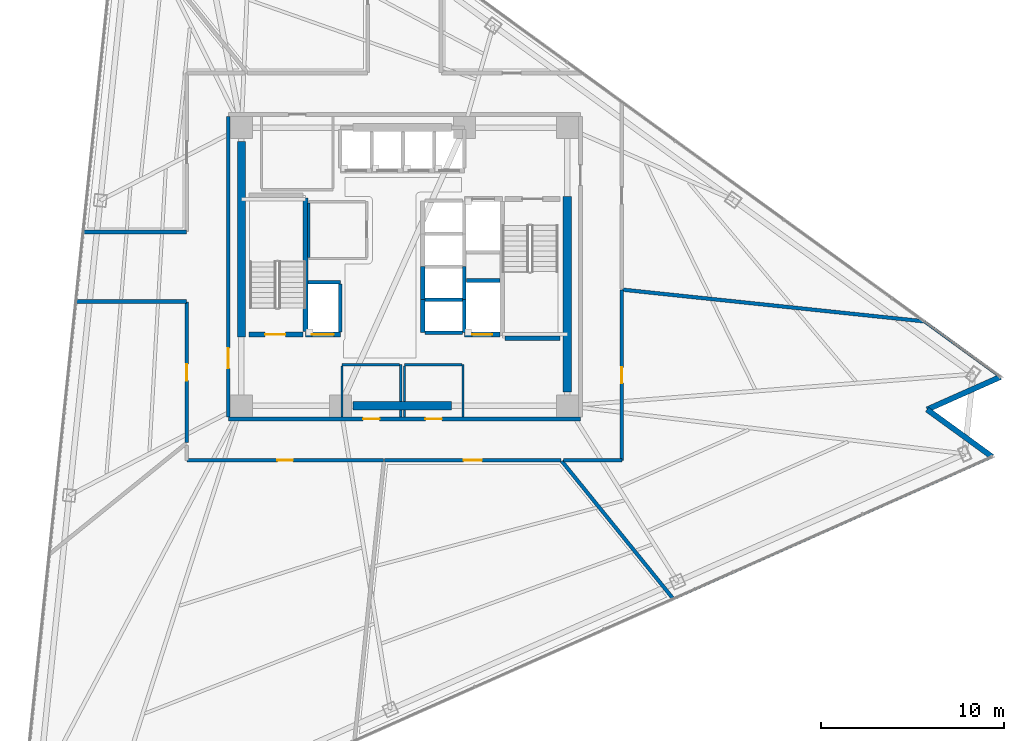
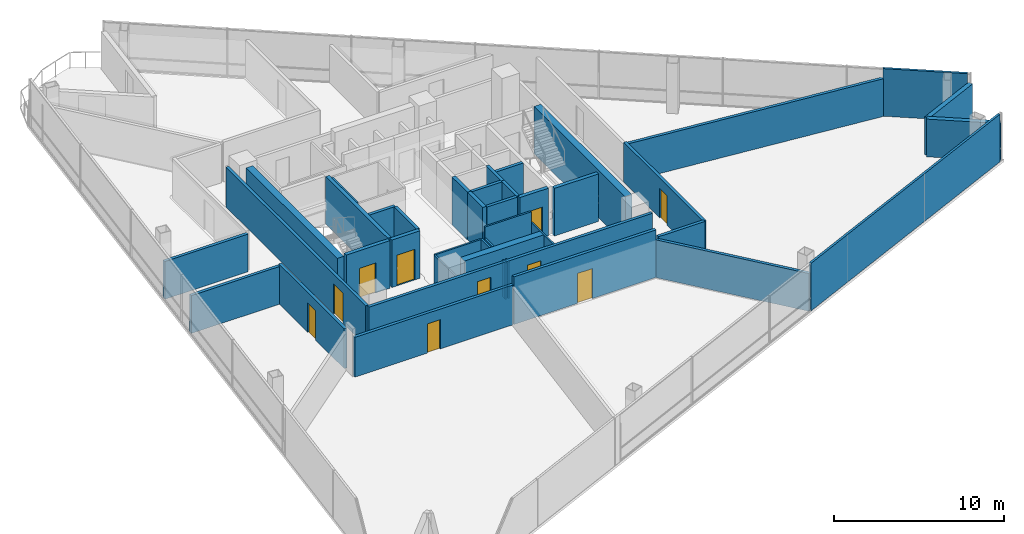
# One storey, part 11 of 17: 41 walls, 10 doors, 10 openings.
"""IFC4 building model written with IfcOpenShell, lengths in metres."""

import ifcopenshell
import ifcopenshell.guid

model = None  # the IFC model being written
_history = None  # IfcOwnerHistory: only IFC2X3 demands one
_inside = {}  # id of a spatial element -> (the spatial element, [elements in it])
_under = {}  # id of a project, library or spatial element -> (it, [spatial elements below it])
_declared = {}  # id of a project -> (the project, [libraries it declares])
_typed = {}  # id of a type object -> (the type object, [elements of that type])
_made_of = {}  # id of a material, layer set ... -> (it, [elements and type objects made of it])


def new_model(schema):
    """Start an empty IFC model of exactly this schema.

    Asked for "IFC4X3", IfcOpenShell would pick the latest addendum, in which some entities
    have other attributes; the version numbers below select the first issue.
    IFC2X3 requires an IfcOwnerHistory on every rooted entity: one is made here for all.
    """
    global model, _history
    if schema == "IFC4X3":
        model = ifcopenshell.file(schema_version=(4, 3, 0, 0))
    else:
        model = ifcopenshell.file(schema=schema)
    _inside.clear()
    _under.clear()
    _declared.clear()
    _typed.clear()
    _made_of.clear()
    _history = None
    if model.schema == "IFC2X3":
        org = make("IfcOrganization", Name="unknown")
        user = make(
            "IfcPersonAndOrganization",
            ThePerson=make("IfcPerson", FamilyName="unknown"),
            TheOrganization=org,
        )
        app = make(
            "IfcApplication",
            ApplicationDeveloper=org,
            Version="unknown",
            ApplicationFullName="unknown",
            ApplicationIdentifier="unknown",
        )
        _history = make(
            "IfcOwnerHistory",
            OwningUser=user,
            OwningApplication=app,
            ChangeAction="ADDED",
            CreationDate=0,
        )
    return model


def make(cls, **values):
    """One entity of the class cls with the attributes given. An attribute that is None is left unset."""
    return model.create_entity(
        cls, **{name: value for name, value in values.items() if value is not None}
    )


def rooted(cls, **values):
    """An entity with a GlobalId (a new one), such as an element, a storey or a relation."""
    return make(cls, GlobalId=ifcopenshell.guid.new(), OwnerHistory=_history, **values)


def si_unit(unit_type, name, prefix=None):
    """IfcSIUnit, for example si_unit("LENGTHUNIT", "METRE", prefix="MILLI")."""
    return make("IfcSIUnit", UnitType=unit_type, Prefix=prefix, Name=name)


def assignment(units):
    """IfcUnitAssignment: the units of a project."""
    return None if units is None else make("IfcUnitAssignment", Units=units)


def point(xyz):
    """IfcCartesianPoint."""
    return None if xyz is None else make("IfcCartesianPoint", Coordinates=xyz)


def direction(xyz):
    """IfcDirection."""
    return None if xyz is None else make("IfcDirection", DirectionRatios=xyz)


def frame(location, z_axis=None, x_axis=None):
    """IfcAxis2Placement3D, a coordinate frame: its origin and axes. An axis left out is left unset."""
    return make(
        "IfcAxis2Placement3D",
        Location=point(location),
        Axis=direction(z_axis),
        RefDirection=direction(x_axis),
    )


def frame_2d(location, x_axis=None):
    """IfcAxis2Placement2D, a coordinate frame in the plane: its origin and x axis."""
    return make(
        "IfcAxis2Placement2D", Location=point(location), RefDirection=direction(x_axis)
    )


def origin():
    """The frame at (0, 0, 0) with its axes left unset."""
    return frame((0.0, 0.0, 0.0))


def place(relative_to, where):
    """IfcLocalPlacement: puts the frame where relative to a parent placement (None: the world)."""
    return make(
        "IfcLocalPlacement", PlacementRelTo=relative_to, RelativePlacement=where
    )


def context(
    kind, dimensions, precision=None, world=None, true_north=None, identifier=None
):
    """IfcGeometricRepresentationContext, for example the 3D "Model" context."""
    return make(
        "IfcGeometricRepresentationContext",
        ContextIdentifier=identifier,
        ContextType=kind,
        CoordinateSpaceDimension=dimensions,
        Precision=precision,
        WorldCoordinateSystem=world,
        TrueNorth=true_north,
    )


def subcontext(parent, identifier, kind, view, scale=None):
    """IfcGeometricRepresentationSubContext, for example "Body" below "Model"."""
    return make(
        "IfcGeometricRepresentationSubContext",
        ContextIdentifier=identifier,
        ContextType=kind,
        ParentContext=parent,
        TargetScale=scale,
        TargetView=view,
    )


def project(units=None, contexts=None):
    """IfcProject with its units and contexts."""
    return rooted(
        "IfcProject",
        Name="project",
        RepresentationContexts=contexts,
        UnitsInContext=assignment(units),
    )


def spatial(cls, under=None, at=None, **own):
    """A site, building, storey or space (cls), placed at a placement, below another one or the project."""
    s = rooted(cls, ObjectPlacement=at, **own)
    if under is not None:
        _under.setdefault(under.id(), (under, []))[1].append(s)
    return s


def profile(cls, at=None, kind="AREA", **sizes):
    """A parametric profile (cls). Its sizes go by their IFC names, for example OverallWidth=200.0."""
    return make(cls, ProfileType=kind, Position=at, **sizes)


def rectangle(**sizes):
    """IfcRectangleProfileDef."""
    return profile("IfcRectangleProfileDef", **sizes)


def extrude(swept, where, along, depth):
    """IfcExtrudedAreaSolid: the profile swept, set in the frame where, extruded along a direction by depth."""
    return make(
        "IfcExtrudedAreaSolid",
        SweptArea=swept,
        Position=where,
        ExtrudedDirection=direction(along),
        Depth=depth,
    )


def shape(context_of_items, identifier, shape_type, items):
    """IfcShapeRepresentation: the items that make up one representation, for example the "Body"."""
    return make(
        "IfcShapeRepresentation",
        ContextOfItems=context_of_items,
        RepresentationIdentifier=identifier,
        RepresentationType=shape_type,
        Items=items,
    )


def material(Name=None, Category=None):
    """IfcMaterial."""
    return make("IfcMaterial", Name=Name, Category=Category)


def layer(
    of_material, thickness, ventilated=None, Name=None, Category=None, Priority=None
):
    """IfcMaterialLayer: one layer of a wall or slab, of a material (None: an air gap)."""
    return make(
        "IfcMaterialLayer",
        Material=of_material,
        LayerThickness=thickness,
        IsVentilated=ventilated,
        Name=Name,
        Category=Category,
        Priority=Priority,
    )


def layer_set(layers, Name=None):
    """IfcMaterialLayerSet."""
    return make("IfcMaterialLayerSet", MaterialLayers=layers, LayerSetName=Name)


def made_of(thing, what):
    """Note that an element or type object is made of a material, layer set ...; save() writes the relation."""
    if what is not None:
        _made_of.setdefault(what.id(), (what, []))[1].append(thing)
    return thing


def type_object(cls, material=None, **own):
    """A type object (cls), such as IfcWallType, which elements share."""
    return made_of(rooted(cls, **own), material)


def element(
    cls,
    number,
    at=None,
    inside=None,
    cuts=None,
    type_object=None,
    material=None,
    context=None,
    identifier="Body",
    shape_type=None,
    held_by="IfcProductDefinitionShape",
    body=None,
    shapes=None,
    **own,
):
    """One element of the class cls, such as IfcWall. Its Tag is "e" and its number.

    at: its placement. inside: the storey or other place that contains it. cuts: it is an
    opening in that element (IfcRelVoidsElement). A single representation is given by context,
    identifier, shape_type and body (its items); several are given by shapes. held_by: the class
    of the entity that holds the representations. save() writes the other relations.
    """
    e = rooted(cls, Tag="e%d" % number, ObjectPlacement=at, **own)
    if body is not None:
        shapes = [shape(context, identifier, shape_type, body)]
    if shapes is not None:
        e.Representation = make(held_by, Representations=shapes)
    if inside is not None:
        _inside.setdefault(inside.id(), (inside, []))[1].append(e)
    if cuts is not None:
        rooted(
            "IfcRelVoidsElement", RelatingBuildingElement=cuts, RelatedOpeningElement=e
        )
    if type_object is not None:
        _typed.setdefault(type_object.id(), (type_object, []))[1].append(e)
    return made_of(e, material)


def fill(opening, filler):
    """IfcRelFillsElement: the door or window that sits in an opening."""
    return rooted(
        "IfcRelFillsElement",
        RelatingOpeningElement=opening,
        RelatedBuildingElement=filler,
    )


def aggregate(whole, parts):
    """IfcRelAggregates: a whole, such as a stair, and the parts it consists of."""
    return rooted("IfcRelAggregates", RelatingObject=whole, RelatedObjects=parts)


def save(model, path):
    """Write the relations noted so far, then the file.

    IfcRelAggregates (storeys below a building ...), IfcRelContainedInSpatialStructure (elements
    in a storey), IfcRelDefinesByType, IfcRelAssociatesMaterial and IfcRelDeclares: one each for
    every whole, place, type object, material and project.
    """
    for whole, parts in _under.values():
        aggregate(whole, parts)
    for where, things in _inside.values():
        rooted(
            "IfcRelContainedInSpatialStructure",
            RelatedElements=things,
            RelatingStructure=where,
        )
    for kind, things in _typed.values():
        rooted("IfcRelDefinesByType", RelatedObjects=things, RelatingType=kind)
    for what, things in _made_of.values():
        rooted("IfcRelAssociatesMaterial", RelatedObjects=things, RelatingMaterial=what)
    for by, libraries in _declared.values():
        rooted("IfcRelDeclares", RelatingContext=by, RelatedDefinitions=libraries)
    model.write(path)


model = new_model("IFC4")

# Units and contexts
model_context = context("Model", 3, precision=1e-05, world=origin(), true_north=direction((0.0, 1.0)))
body_context = subcontext(model_context, "Body", "Model", "MODEL_VIEW")
ifc_project = project(units=[si_unit("LENGTHUNIT", "METRE"), si_unit("AREAUNIT", "SQUARE_METRE"), si_unit("VOLUMEUNIT", "CUBIC_METRE"), si_unit("PLANEANGLEUNIT", "RADIAN"), si_unit("MASSUNIT", "GRAM", prefix="KILO")], contexts=[model_context])

# Site, building, storey
site_placement = place(None, origin())
site = spatial("IfcSite", under=ifc_project, at=site_placement, CompositionType="ELEMENT")
building_placement = place(site_placement, origin())
building = spatial("IfcBuilding", under=site, at=building_placement, Name="Tharavind Bronze Gate", CompositionType="ELEMENT")
storey_placement = place(building_placement, frame((0.0, 0.0, 119.64990234375)))
storey = spatial("IfcBuildingStorey", under=building, at=storey_placement, Name="L30", CompositionType="ELEMENT", Elevation=119.64990234375)

# Walls
ifc_material_1 = material(Name="Concrete C40/50", Category="concrete")
ifc_layer_1 = layer(ifc_material_1, 0.300048828125)
ifc_layer_set_1 = layer_set([ifc_layer_1], Name="Concrete C40/50")
wall_type_1 = type_object("IfcWallType", Name="EXTERIOR SPANDREL WALL 300", PredefinedType="STANDARD", material=ifc_layer_set_1)
for number, where, z_axis, x_axis, name in (
    (1, (32.099853515625, -10.3759765625, 0.0), (0.0, 0.0, 1.0), (-0.809018008275, 0.587783856777, 0.0), "L30 notch cheek wall 3A"),
    (2, (28.556396484375, -7.801513671875, 0.0), (0.0, 0.0, 1.0), (0.913542411385, 0.406743485013, 0.0), "L30 notch cheek wall 3B"),
):
    element("IfcWall", number, at=place(storey_placement, frame(where, z_axis=z_axis, x_axis=x_axis)), inside=storey, type_object=wall_type_1, Name=name, PredefinedType="STANDARD", context=body_context, shape_type="SweptSolid", body=[
        extrude(rectangle(XDim=4.3798828125, YDim=0.300048828125, at=frame_2d((2.18994140625, 0.0))), origin(), (0.0, 0.0, 1.0), 2.705078125),
    ])

# Wall, openings, doors
ifc_material_2 = material(Name="Aerated Concrete Block", Category="concrete")
ifc_layer_2 = layer(ifc_material_2, 0.199951171875)
ifc_layer_set_2 = layer_set([ifc_layer_2], Name="Aerated Concrete Block")
wall_type_2 = type_object("IfcWallType", Name="FIRE RATED PARTITION 200", PredefinedType="PARTITIONING", material=ifc_layer_set_2)
wall_1_placement = place(storey_placement, frame((-9.6201171875, -8.320068359375, 0.0), z_axis=(0.0, 0.0, 1.0), x_axis=(1.0, 0.0, 0.0)))
wall_1 = element("IfcWall", 3, at=wall_1_placement, inside=storey, type_object=wall_type_2, Name="L30 south core corridor wall", PredefinedType="PARTITIONING", context=body_context, shape_type="SweptSolid", body=[
    extrude(rectangle(XDim=19.240234375, YDim=0.199951171875, at=frame_2d((9.6201171875, 0.0))), origin(), (0.0, 0.0, 1.0), 2.85498046875),
])
opening_1_placement = place(wall_1_placement, frame((7.3701171875, 0.0, 0.0)))
opening_1 = element("IfcOpeningElement", 4, at=opening_1_placement, cuts=wall_1, Name="Opening ID07", PredefinedType="OPENING", context=body_context, shape_type="SweptSolid", body=[
    extrude(rectangle(XDim=0.89990234375, YDim=2.10009765625, at=frame_2d((0.449951171875, 1.050048828125))), frame((0.0, 0.11009765625, 0.0), z_axis=(0.0, -1.0, 0.0), x_axis=(1.0, 0.0, 0.0)), (0.0, 0.0, 1.0), 0.219951171875),
])
opening_2_placement = place(wall_1_placement, frame((10.77001953125, 0.0, 0.0)))
opening_2 = element("IfcOpeningElement", 5, at=opening_2_placement, cuts=wall_1, Name="Opening ID07", PredefinedType="OPENING", context=body_context, shape_type="SweptSolid", body=[
    extrude(rectangle(XDim=0.89990234375, YDim=2.10009765625, at=frame_2d((0.449951171875, 1.050048828125))), frame((0.0, 0.11009765625, 0.0), z_axis=(0.0, -1.0, 0.0), x_axis=(1.0, 0.0, 0.0)), (0.0, 0.0, 1.0), 0.219951171875),
])
ifc_material_3 = material(Name="Galvanised Fire Steel", Category="steel")
door_type_1 = type_object("IfcDoorType", Name="PLANT AND RISER FIRE DOOR 900X2100", OperationType="SINGLE_SWING_LEFT", PredefinedType="DOOR", material=ifc_material_3)
door_1_placement = place(opening_1_placement, frame((0.89990234375, 0.0, 0.0), z_axis=(0.0, 0.0, 1.0), x_axis=(-1.0, 0.0, 0.0)))
door_1 = element("IfcDoor", 6, at=door_1_placement, inside=storey, type_object=door_type_1, Name="L30 Core Archive Store fire door", OperationType="SINGLE_SWING_LEFT", OverallHeight=2.10009765625, OverallWidth=0.89990234375, PredefinedType="DOOR", context=body_context, shape_type="SweptSolid", body=[
    extrude(rectangle(XDim=0.89990234375, YDim=2.10009765625, at=frame_2d((0.449951171875, 1.050048828125))), frame((0.0, 0.02490234375, 0.0), z_axis=(0.0, -1.0, 0.0), x_axis=(1.0, 0.0, 0.0)), (0.0, 0.0, 1.0), 0.050048828125),
])
fill(opening_1, door_1)
door_2_placement = place(opening_2_placement, frame((0.89990234375, 0.0, 0.0), z_axis=(0.0, 0.0, 1.0), x_axis=(-1.0, 0.0, 0.0)))
door_2 = element("IfcDoor", 7, at=door_2_placement, inside=storey, type_object=door_type_1, Name="L30 Core Server Room fire door", OperationType="SINGLE_SWING_LEFT", OverallHeight=2.10009765625, OverallWidth=0.89990234375, PredefinedType="DOOR", context=body_context, shape_type="SweptSolid", body=[
    extrude(rectangle(XDim=0.89990234375, YDim=2.10009765625, at=frame_2d((0.449951171875, 1.050048828125))), frame((0.0, 0.02490234375, 0.0), z_axis=(0.0, -1.0, 0.0), x_axis=(1.0, 0.0, 0.0)), (0.0, 0.0, 1.0), 0.050048828125),
])
fill(opening_2, door_2)

# Wall, opening, door
wall_2_placement = place(storey_placement, frame((-9.6201171875, 8.199951171875, 0.0), z_axis=(0.0, 0.0, 1.0), x_axis=(0.0, -1.0, 0.0)))
wall_2 = element("IfcWall", 8, at=wall_2_placement, inside=storey, type_object=wall_type_2, Name="L30 west core corridor wall", PredefinedType="PARTITIONING", context=body_context, shape_type="SweptSolid", body=[
    extrude(rectangle(XDim=16.39990234375, YDim=0.199951171875, at=frame_2d((8.199951171875, 0.0))), origin(), (0.0, 0.0, 1.0), 2.85498046875),
])
opening_3_placement = place(wall_2_placement, frame((12.64990234375, 0.0, 0.0)))
opening_3 = element("IfcOpeningElement", 9, at=opening_3_placement, cuts=wall_2, Name="Opening ID01", PredefinedType="OPENING", context=body_context, shape_type="SweptSolid", body=[
    extrude(rectangle(XDim=1.10009765625, YDim=2.14990234375, at=frame_2d((0.550048828125, 1.074951171875))), frame((0.0, 0.11009765625, 0.0), z_axis=(0.0, -1.0, 0.0), x_axis=(1.0, 0.0, 0.0)), (0.0, 0.0, 1.0), 0.219951171875),
])
ifc_material_4 = material(Name="Fire-Rated Steel", Category="steel")
door_type_2 = type_object("IfcDoorType", Name="STAIR CORE FIRE DOOR 1100X2150", OperationType="SINGLE_SWING_LEFT", PredefinedType="DOOR", material=ifc_material_4)
door_3_placement = place(opening_3_placement, frame((1.10009765625, 0.0, 0.0), z_axis=(0.0, 0.0, 1.0), x_axis=(-1.0, 0.0, 0.0)))
door_3 = element("IfcDoor", 10, at=door_3_placement, inside=storey, type_object=door_type_2, Name="L30 south west stair lobby fire door", OperationType="SINGLE_SWING_LEFT", OverallHeight=2.14990234375, OverallWidth=1.10009765625, PredefinedType="DOOR", context=body_context, shape_type="SweptSolid", body=[
    extrude(rectangle(XDim=1.10009765625, YDim=2.14990234375, at=frame_2d((0.550048828125, 1.074951171875))), frame((0.0, 0.02490234375, 0.0), z_axis=(0.0, -1.0, 0.0), x_axis=(1.0, 0.0, 0.0)), (0.0, 0.0, 1.0), 0.050048828125),
])
fill(opening_3, door_3)

wall_3_placement = place(storey_placement, frame((-11.87939453125, -10.580078125, 0.0), z_axis=(0.0, 0.0, 1.0), x_axis=(1.0, 0.0, 0.0)))
wall_3 = element("IfcWall", 11, at=wall_3_placement, inside=storey, type_object=wall_type_2, Name="L30 Public Restrooms Block partition", PredefinedType="PARTITIONING", context=body_context, shape_type="SweptSolid", body=[
    extrude(rectangle(XDim=10.739501953125, YDim=0.199951171875, at=frame_2d((5.36962890625, 0.0))), origin(), (0.0, 0.0, 1.0), 2.85498046875),
])
opening_4_placement = place(wall_3_placement, frame((4.945068359375, 0.0, 0.0)))
opening_4 = element("IfcOpeningElement", 12, at=opening_4_placement, cuts=wall_3, Name="Opening ID06", PredefinedType="OPENING", context=body_context, shape_type="SweptSolid", body=[
    extrude(rectangle(XDim=0.85009765625, YDim=2.10009765625, at=frame_2d((0.425048828125, 1.050048828125))), frame((0.0, 0.11009765625, 0.0), z_axis=(0.0, -1.0, 0.0), x_axis=(1.0, 0.0, 0.0)), (0.0, 0.0, 1.0), 0.219951171875),
])
ifc_material_5 = material(Name="Moisture-Resistant Timber", Category="wood")
door_type_3 = type_object("IfcDoorType", Name="BATHROOM PRIVACY DOOR 850X2100", OperationType="SINGLE_SWING_RIGHT", PredefinedType="DOOR", material=ifc_material_5)
door_4_placement = place(opening_4_placement, origin())
door_4 = element("IfcDoor", 13, at=door_4_placement, inside=storey, type_object=door_type_3, Name="L30 Public Restrooms Block door", OperationType="SINGLE_SWING_RIGHT", OverallHeight=2.10009765625, OverallWidth=0.85009765625, PredefinedType="DOOR", context=body_context, shape_type="SweptSolid", body=[
    extrude(rectangle(XDim=0.85009765625, YDim=2.10009765625, at=frame_2d((0.425048828125, 1.050048828125))), frame((0.0, 0.02490234375, 0.0), z_axis=(0.0, -1.0, 0.0), x_axis=(1.0, 0.0, 0.0)), (0.0, 0.0, 1.0), 0.050048828125),
])
fill(opening_4, door_4)

wall_4_placement = place(storey_placement, frame((11.8798828125, -10.579345703125, 0.0), z_axis=(0.0, 0.0, 1.0), x_axis=(0.0, 1.0, 0.0)))
wall_4 = element("IfcWall", 14, at=wall_4_placement, inside=storey, type_object=wall_type_2, Name="L30 Public Restrooms Block partition", PredefinedType="PARTITIONING", context=body_context, shape_type="SweptSolid", body=[
    extrude(rectangle(XDim=9.302978515625, YDim=0.199951171875, at=frame_2d((4.6513671875, 0.0))), origin(), (0.0, 0.0, 1.0), 2.85498046875),
])
opening_5_placement = place(wall_4_placement, frame((4.22607421875, 0.0, 0.0)))
opening_5 = element("IfcOpeningElement", 15, at=opening_5_placement, cuts=wall_4, Name="Opening ID06", PredefinedType="OPENING", context=body_context, shape_type="SweptSolid", body=[
    extrude(rectangle(XDim=0.85009765625, YDim=2.10009765625, at=frame_2d((0.425048828125, 1.050048828125))), frame((0.0, 0.11009765625, 0.0), z_axis=(0.0, -1.0, 0.0), x_axis=(1.0, 0.0, 0.0)), (0.0, 0.0, 1.0), 0.219951171875),
])
door_5_placement = place(opening_5_placement, origin())
door_5 = element("IfcDoor", 16, at=door_5_placement, inside=storey, type_object=door_type_3, Name="L30 Public Restrooms Block door", OperationType="SINGLE_SWING_RIGHT", OverallHeight=2.10009765625, OverallWidth=0.85009765625, PredefinedType="DOOR", context=body_context, shape_type="SweptSolid", body=[
    extrude(rectangle(XDim=0.85009765625, YDim=2.10009765625, at=frame_2d((0.425048828125, 1.050048828125))), frame((0.0, 0.02490234375, 0.0), z_axis=(0.0, -1.0, 0.0), x_axis=(1.0, 0.0, 0.0)), (0.0, 0.0, 1.0), 0.050048828125),
])
fill(opening_5, door_5)

# Walls
wall_5_placement = place(storey_placement, frame((11.90771484375, -1.25146484375, 0.0), z_axis=(0.0, 0.0, 1.0), x_axis=(0.994520958229, -0.104537379166, 0.0)))
element("IfcWall", 17, at=wall_5_placement, inside=storey, type_object=wall_type_2, Name="L30 Public Restrooms Block partition", PredefinedType="PARTITIONING", context=body_context, shape_type="SweptSolid", body=[
    extrude(rectangle(XDim=16.553466796875, YDim=0.199951171875, at=frame_2d((8.27685546875, 0.0))), origin(), (0.0, 0.0, 1.0), 2.705078125),
])
wall_6_placement = place(storey_placement, frame((14.669921875, -18.115966796875, 0.0), z_axis=(0.0, 0.0, 1.0), x_axis=(-0.629302356579, 0.777160565137, 0.0)))
element("IfcWall", 18, at=wall_6_placement, inside=storey, type_object=wall_type_2, Name="L30 Public Restrooms Block partition", PredefinedType="PARTITIONING", context=body_context, shape_type="SweptSolid", body=[
    extrude(rectangle(XDim=9.64453125, YDim=0.199951171875, at=frame_2d((4.822265625, 0.0))), origin(), (0.0, 0.0, 1.0), 2.705078125),
])
wall_7_placement = place(storey_placement, frame((8.70263671875, -10.580078125, 0.0), z_axis=(0.0, 0.0, 1.0), x_axis=(1.0, 0.0, 0.0)))
element("IfcWall", 19, at=wall_7_placement, inside=storey, type_object=wall_type_2, Name="L30 Public Restrooms Block partition", PredefinedType="PARTITIONING", context=body_context, shape_type="SweptSolid", body=[
    extrude(rectangle(XDim=3.1767578125, YDim=0.199951171875, at=frame_2d((1.58837890625, 0.0))), origin(), (0.0, 0.0, 1.0), 2.85498046875),
])
wall_8_placement = place(storey_placement, frame((-11.905029296875, 1.89990234375, 0.0), z_axis=(0.0, 0.0, 1.0), x_axis=(-1.0, 0.0, 0.0)))
element("IfcWall", 20, at=wall_8_placement, inside=storey, type_object=wall_type_2, Name="L30 Pin-Up Review Room partition", PredefinedType="PARTITIONING", context=body_context, shape_type="SweptSolid", body=[
    extrude(rectangle(XDim=5.640869140625, YDim=0.199951171875, at=frame_2d((2.8203125, 0.0))), origin(), (0.0, 0.0, 1.0), 2.705078125),
])
wall_9_placement = place(storey_placement, frame((-17.945068359375, -1.89990234375, 0.0), z_axis=(0.0, 0.0, 1.0), x_axis=(1.0, 0.0, 0.0)))
element("IfcWall", 21, at=wall_9_placement, inside=storey, type_object=wall_type_2, Name="L30 Material Archive Store partition", PredefinedType="PARTITIONING", context=body_context, shape_type="SweptSolid", body=[
    extrude(rectangle(XDim=6.0400390625, YDim=0.199951171875, at=frame_2d((3.02001953125, 0.0))), origin(), (0.0, 0.0, 1.0), 2.705078125),
])

# Wall, opening, door
wall_10_placement = place(storey_placement, frame((-11.8798828125, -1.925048828125, 0.0), z_axis=(0.0, 0.0, 1.0), x_axis=(0.0, -1.0, 0.0)))
wall_10 = element("IfcWall", 22, at=wall_10_placement, inside=storey, type_object=wall_type_2, Name="L30 Material Archive Store partition", PredefinedType="PARTITIONING", context=body_context, shape_type="SweptSolid", body=[
    extrude(rectangle(XDim=7.683349609375, YDim=0.199951171875, at=frame_2d((3.841796875, 0.0))), origin(), (0.0, 0.0, 1.0), 2.85498046875),
])
opening_6_placement = place(wall_10_placement, frame((3.39208984375, 0.0, 0.0)))
opening_6 = element("IfcOpeningElement", 23, at=opening_6_placement, cuts=wall_10, Name="Opening ID07", PredefinedType="OPENING", context=body_context, shape_type="SweptSolid", body=[
    extrude(rectangle(XDim=0.89990234375, YDim=2.10009765625, at=frame_2d((0.449951171875, 1.050048828125))), frame((0.0, 0.11009765625, 0.0), z_axis=(0.0, -1.0, 0.0), x_axis=(1.0, 0.0, 0.0)), (0.0, 0.0, 1.0), 0.219951171875),
])
door_6_placement = place(opening_6_placement, origin())
door_6 = element("IfcDoor", 24, at=door_6_placement, inside=storey, type_object=door_type_1, Name="L30 Material Archive Store door", OperationType="SINGLE_SWING_LEFT", OverallHeight=2.10009765625, OverallWidth=0.89990234375, PredefinedType="DOOR", context=body_context, shape_type="SweptSolid", body=[
    extrude(rectangle(XDim=0.89990234375, YDim=2.10009765625, at=frame_2d((0.449951171875, 1.050048828125))), frame((0.0, 0.02490234375, 0.0), z_axis=(0.0, -1.0, 0.0), x_axis=(1.0, 0.0, 0.0)), (0.0, 0.0, 1.0), 0.050048828125),
])
fill(opening_6, door_6)

wall_11_placement = place(storey_placement, frame((-1.089599609375, -10.580078125, 0.0), z_axis=(0.0, 0.0, 1.0), x_axis=(1.0, 0.0, 0.0)))
wall_11 = element("IfcWall", 25, at=wall_11_placement, inside=storey, type_object=wall_type_2, Name="L30 Urban Design Open Office partition", PredefinedType="PARTITIONING", context=body_context, shape_type="SweptSolid", body=[
    extrude(rectangle(XDim=9.645263671875, YDim=0.199951171875, at=frame_2d((4.82275390625, 0.0))), origin(), (0.0, 0.0, 1.0), 3.41015625),
])
opening_7_placement = place(wall_11_placement, frame((4.322998046875, 0.0, 0.0)))
opening_7 = element("IfcOpeningElement", 26, at=opening_7_placement, cuts=wall_11, Name="Opening ID04", PredefinedType="OPENING", context=body_context, shape_type="SweptSolid", body=[
    extrude(rectangle(XDim=1.0, YDim=2.14990234375, at=frame_2d((0.5, 1.074951171875))), frame((0.0, 0.11009765625, 0.0), z_axis=(0.0, -1.0, 0.0), x_axis=(1.0, 0.0, 0.0)), (0.0, 0.0, 1.0), 0.219951171875),
])
ifc_material_6 = material(Name="Bronze Framed Acoustic Timber", Category="wood")
door_type_4 = type_object("IfcDoorType", Name="OFFICE TENANCY DOOR 1000X2150", OperationType="SINGLE_SWING_RIGHT", PredefinedType="DOOR", material=ifc_material_6)
door_7_placement = place(opening_7_placement, origin())
door_7 = element("IfcDoor", 27, at=door_7_placement, inside=storey, type_object=door_type_4, Name="L30 Urban Design Open Office door", OperationType="SINGLE_SWING_RIGHT", OverallHeight=2.14990234375, OverallWidth=1.0, PredefinedType="DOOR", context=body_context, shape_type="SweptSolid", body=[
    extrude(rectangle(XDim=1.0, YDim=2.14990234375, at=frame_2d((0.5, 1.074951171875))), frame((0.0, 0.02490234375, 0.0), z_axis=(0.0, -1.0, 0.0), x_axis=(1.0, 0.0, 0.0)), (0.0, 0.0, 1.0), 0.050048828125),
])
fill(opening_7, door_7)

# Walls
ifc_material_7 = material(Name="Metal Stud Gypsum Partition", Category="gypsum")
ifc_layer_3 = layer(ifc_material_7, 0.1201171875)
ifc_layer_set_3 = layer_set([ifc_layer_3], Name="Metal Stud Gypsum Partition")
wall_type_3 = type_object("IfcWallType", Name="INTERIOR PARTITION WALL 120", PredefinedType="PARTITIONING", material=ifc_layer_set_3)
wall_12_placement = place(storey_placement, frame((-5.219970703125, 3.485107421875, 0.0), z_axis=(0.0, 0.0, 1.0), x_axis=(0.0, -1.0, 0.0)))
element("IfcWall", 28, at=wall_12_placement, inside=storey, type_object=wall_type_3, Name="L30 Electrical & Telecom Store partition 4", PredefinedType="PARTITIONING", context=body_context, shape_type="SweptSolid", body=[
    extrude(rectangle(XDim=2.97021484375, YDim=0.1201171875, at=frame_2d((1.485107421875, 0.0))), origin(), (0.0, 0.0, 1.0), 3.41015625),
])
wall_13_placement = place(storey_placement, frame((-0.199951171875, -8.215087890625, 0.0), z_axis=(0.0, 0.0, 1.0), x_axis=(0.0, 1.0, 0.0)))
element("IfcWall", 29, at=wall_13_placement, inside=storey, type_object=wall_type_3, Name="L30 Core Archive Store partition 2", PredefinedType="PARTITIONING", context=body_context, shape_type="SweptSolid", body=[
    extrude(rectangle(XDim=0.385009765625, YDim=0.1201171875, at=frame_2d((0.1923828125, 0.0))), origin(), (0.0, 0.0, 1.0), 2.60498046875),
])
wall_14_placement = place(storey_placement, frame((-0.199951171875, -7.3701171875, 0.0), z_axis=(0.0, 0.0, 1.0), x_axis=(0.0, 1.0, 0.0)))
element("IfcWall", 30, at=wall_14_placement, inside=storey, type_object=wall_type_3, Name="L30 Core Archive Store partition 2", PredefinedType="PARTITIONING", context=body_context, shape_type="SweptSolid", body=[
    extrude(rectangle(XDim=2.02001953125, YDim=0.1201171875, at=frame_2d((1.010009765625, 0.0))), origin(), (0.0, 0.0, 1.0), 2.60498046875),
])
wall_15_placement = place(storey_placement, frame((-0.264892578125, -5.35009765625, 0.0), z_axis=(0.0, 0.0, 1.0), x_axis=(-1.0, 0.0, 0.0)))
element("IfcWall", 31, at=wall_15_placement, inside=storey, type_object=wall_type_3, Name="L30 Core Archive Store partition 3", PredefinedType="PARTITIONING", context=body_context, shape_type="SweptSolid", body=[
    extrude(rectangle(XDim=3.135009765625, YDim=0.1201171875, at=frame_2d((1.5673828125, 0.0))), origin(), (0.0, 0.0, 1.0), 2.60498046875),
])
wall_16_placement = place(storey_placement, frame((-3.39990234375, -5.4150390625, 0.0), z_axis=(0.0, 0.0, 1.0), x_axis=(0.0, -1.0, 0.0)))
element("IfcWall", 32, at=wall_16_placement, inside=storey, type_object=wall_type_3, Name="L30 Core Archive Store partition 4", PredefinedType="PARTITIONING", context=body_context, shape_type="SweptSolid", body=[
    extrude(rectangle(XDim=2.800048828125, YDim=0.1201171875, at=frame_2d((1.39990234375, 0.0))), origin(), (0.0, 0.0, 1.0), 2.60498046875),
])
wall_17_placement = place(storey_placement, frame((3.199951171875, -8.215087890625, 0.0), z_axis=(0.0, 0.0, 1.0), x_axis=(0.0, 1.0, 0.0)))
element("IfcWall", 33, at=wall_17_placement, inside=storey, type_object=wall_type_3, Name="L30 Core Server Room partition 2", PredefinedType="PARTITIONING", context=body_context, shape_type="SweptSolid", body=[
    extrude(rectangle(XDim=2.864990234375, YDim=0.1201171875, at=frame_2d((1.4326171875, 0.0))), origin(), (0.0, 0.0, 1.0), 2.60498046875),
])
wall_18_placement = place(storey_placement, frame((3.135009765625, -5.35009765625, 0.0), z_axis=(0.0, 0.0, 1.0), x_axis=(-1.0, 0.0, 0.0)))
element("IfcWall", 34, at=wall_18_placement, inside=storey, type_object=wall_type_3, Name="L30 Core Server Room partition 3", PredefinedType="PARTITIONING", context=body_context, shape_type="SweptSolid", body=[
    extrude(rectangle(XDim=3.135009765625, YDim=0.1201171875, at=frame_2d((1.5673828125, 0.0))), origin(), (0.0, 0.0, 1.0), 3.41015625),
])
wall_19_placement = place(storey_placement, frame((0.0, -5.4150390625, 0.0), z_axis=(0.0, 0.0, 1.0), x_axis=(0.0, -1.0, 0.0)))
element("IfcWall", 35, at=wall_19_placement, inside=storey, type_object=wall_type_3, Name="L30 Core Server Room partition 4", PredefinedType="PARTITIONING", context=body_context, shape_type="SweptSolid", body=[
    extrude(rectangle(XDim=1.955078125, YDim=0.1201171875, at=frame_2d((0.9775390625, 0.0))), origin(), (0.0, 0.0, 1.0), 2.60498046875),
])
wall_20_placement = place(storey_placement, frame((0.0, -7.830078125, 0.0), z_axis=(0.0, 0.0, 1.0), x_axis=(0.0, -1.0, 0.0)))
element("IfcWall", 36, at=wall_20_placement, inside=storey, type_object=wall_type_3, Name="L30 Core Server Room partition 4", PredefinedType="PARTITIONING", context=body_context, shape_type="SweptSolid", body=[
    extrude(rectangle(XDim=0.385009765625, YDim=0.1201171875, at=frame_2d((0.1923828125, 0.0))), origin(), (0.0, 0.0, 1.0), 2.60498046875),
])
ifc_material_8 = material(Name="Twin Stud Acoustic Gypsum", Category="gypsum")
ifc_layer_4 = layer(ifc_material_8, 0.14990234375)
ifc_layer_set_4 = layer_set([ifc_layer_4], Name="Twin Stud Acoustic Gypsum")
wall_type_4 = type_object("IfcWallType", Name="INTERIOR PARTITION WALL 150", PredefinedType="PARTITIONING", material=ifc_layer_set_4)
wall_21_placement = place(storey_placement, frame((28.382568359375, -2.986572265625, 0.0), z_axis=(0.0, 0.0, 1.0), x_axis=(0.809028426751, -0.587769516655, 0.0)))
element("IfcWall", 37, at=wall_21_placement, inside=storey, type_object=wall_type_4, Name="L30 Public Restrooms Block partition", PredefinedType="PARTITIONING", context=body_context, shape_type="SweptSolid", body=[
    extrude(rectangle(XDim=4.98193359375, YDim=0.14990234375, at=frame_2d((2.490966796875, 0.0))), origin(), (0.0, 0.0, 1.0), 3.41015625),
])
wall_22_placement = place(storey_placement, frame((31.936279296875, -10.44873046875, 0.0), z_axis=(0.0, 0.0, 1.0), x_axis=(-0.913543488342, -0.406741066168, 0.0)))
element("IfcWall", 38, at=wall_22_placement, inside=storey, type_object=wall_type_4, Name="L30 Public Restrooms Block partition", PredefinedType="PARTITIONING", context=body_context, shape_type="SweptSolid", body=[
    extrude(rectangle(XDim=18.867919921875, YDim=0.14990234375, at=frame_2d((9.43408203125, 0.0))), origin(), (0.0, 0.0, 1.0), 3.41015625),
])
ifc_material_9 = material(Name="Concrete C50/60", Category="concrete")
ifc_layer_5 = layer(ifc_material_9, 0.25)
ifc_layer_set_5 = layer_set([ifc_layer_5], Name="Concrete C50/60")
wall_type_5 = type_object("IfcWallType", Name="RC CORE SHEAR WALL 250", PredefinedType="SHEAR", material=ifc_layer_set_5)
wall_23_placement = place(storey_placement, frame((-5.39990234375, -3.550048828125, 0.0), z_axis=(0.0, 0.0, 1.0), x_axis=(0.0, 1.0, 0.0)))
element("IfcWall", 39, at=wall_23_placement, inside=storey, type_object=wall_type_5, Name="L30 ST1 shaft east wall", PredefinedType="SHEAR", context=body_context, shape_type="SweptSolid", body=[
    extrude(rectangle(XDim=7.300048828125, YDim=0.25, at=frame_2d((3.64990234375, 0.0))), origin(), (0.0, 0.0, 1.0), 3.41015625),
])

# Wall, opening, door
wall_24_placement = place(storey_placement, frame((-8.5, -3.699951171875, 0.0), z_axis=(0.0, 0.0, 1.0), x_axis=(1.0, 0.0, 0.0)))
wall_24 = element("IfcWall", 40, at=wall_24_placement, inside=storey, type_object=wall_type_5, Name="L30 ST1 shaft south wall", PredefinedType="SHEAR", context=body_context, shape_type="SweptSolid", body=[
    extrude(rectangle(XDim=2.949951171875, YDim=0.25, at=frame_2d((1.47509765625, 0.0))), origin(), (0.0, 0.0, 1.0), 3.41015625),
])
opening_8_placement = place(wall_24_placement, frame((0.89990234375, 0.0, 0.0)))
opening_8 = element("IfcOpeningElement", 41, at=opening_8_placement, cuts=wall_24, Name="Opening ID01", PredefinedType="OPENING", context=body_context, shape_type="SweptSolid", body=[
    extrude(rectangle(XDim=1.10009765625, YDim=2.14990234375, at=frame_2d((0.550048828125, 1.074951171875))), frame((0.0, 0.135, 0.0), z_axis=(0.0, -1.0, 0.0), x_axis=(1.0, 0.0, 0.0)), (0.0, 0.0, 1.0), 0.27),
])
door_8_placement = place(opening_8_placement, origin())
door_8 = element("IfcDoor", 42, at=door_8_placement, inside=storey, type_object=door_type_2, Name="L30 exit stair ST1 fire door", OperationType="SINGLE_SWING_LEFT", OverallHeight=2.14990234375, OverallWidth=1.10009765625, PredefinedType="DOOR", context=body_context, shape_type="SweptSolid", body=[
    extrude(rectangle(XDim=1.10009765625, YDim=2.14990234375, at=frame_2d((0.550048828125, 1.074951171875))), frame((0.0, 0.02490234375, 0.0), z_axis=(0.0, -1.0, 0.0), x_axis=(1.0, 0.0, 0.0)), (0.0, 0.0, 1.0), 0.050048828125),
])
fill(opening_8, door_8)

# Walls
wall_25_placement = place(storey_placement, frame((5.5, -3.89990234375, 0.0), z_axis=(0.0, 0.0, 1.0), x_axis=(1.0, 0.0, 0.0)))
element("IfcWall", 43, at=wall_25_placement, inside=storey, type_object=wall_type_5, Name="L30 ST2 shaft south wall", PredefinedType="SHEAR", context=body_context, shape_type="SweptSolid", body=[
    extrude(rectangle(XDim=3.0, YDim=0.25, at=frame_2d((1.5, 0.0))), origin(), (0.0, 0.0, 1.0), 3.41015625),
])
for number, where, z_axis, x_axis, name in (
    (44, (1.0, -3.60009765625, 0.0), (0.0, 0.0, 1.0), (0.0, 1.0, 0.0), "L30 lift PL9 shaft front wall"),
    (45, (1.0, -1.800048828125, 0.0), (0.0, 0.0, 1.0), (0.0, 1.0, 0.0), "L30 lift PL10 shaft front wall"),
):
    element("IfcWall", number, at=place(storey_placement, frame(where, z_axis=z_axis, x_axis=x_axis)), inside=storey, type_object=wall_type_5, Name=name, PredefinedType="SHEAR", context=body_context, shape_type="SweptSolid", body=[
        extrude(rectangle(XDim=1.800048828125, YDim=0.25, at=frame_2d((0.89990234375, 0.0))), origin(), (0.0, 0.0, 1.0), 3.41015625),
    ])

# Wall, opening, door
wall_26_placement = place(storey_placement, frame((-5.39990234375, -3.699951171875, 0.0), z_axis=(0.0, 0.0, 1.0), x_axis=(1.0, 0.0, 0.0)))
wall_26 = element("IfcWall", 46, at=wall_26_placement, inside=storey, type_object=wall_type_5, Name="L30 lift FFL1 shaft front wall", PredefinedType="SHEAR", context=body_context, shape_type="SweptSolid", body=[
    extrude(rectangle(XDim=1.89990234375, YDim=0.25, at=frame_2d((0.949951171875, 0.0))), origin(), (0.0, 0.0, 1.0), 3.41015625),
])
opening_9_placement = place(wall_26_placement, frame((0.35009765625, 0.0, 0.0)))
opening_9 = element("IfcOpeningElement", 47, at=opening_9_placement, cuts=wall_26, Name="Opening LD02", PredefinedType="OPENING", context=body_context, shape_type="SweptSolid", body=[
    extrude(rectangle(XDim=1.199951171875, YDim=2.199951171875, at=frame_2d((0.60009765625, 1.10009765625))), frame((0.0, 0.135, 0.0), z_axis=(0.0, -1.0, 0.0), x_axis=(1.0, 0.0, 0.0)), (0.0, 0.0, 1.0), 0.27),
])
ifc_material_10 = material(Name="Brushed Stainless Steel", Category="steel")
door_type_5 = type_object("IfcDoorType", Name="FIREFIGHTING LIFT LANDING DOOR 1200X2200", OperationType="SLIDING_TO_RIGHT", PredefinedType="DOOR", material=ifc_material_10)
door_9_placement = place(opening_9_placement, origin())
door_9 = element("IfcDoor", 48, at=door_9_placement, inside=storey, type_object=door_type_5, Name="L30 lift FFL1 sliding landing door", OperationType="SLIDING_TO_RIGHT", OverallHeight=2.199951171875, OverallWidth=1.199951171875, PredefinedType="DOOR", context=body_context, shape_type="SweptSolid", body=[
    extrude(rectangle(XDim=1.199951171875, YDim=2.199951171875, at=frame_2d((0.60009765625, 1.10009765625))), frame((0.0, 0.02490234375, 0.0), z_axis=(0.0, -1.0, 0.0), x_axis=(1.0, 0.0, 0.0)), (0.0, 0.0, 1.0), 0.050048828125),
])
fill(opening_9, door_9)

wall_27_placement = place(storey_placement, frame((3.280029296875, -3.699951171875, 0.0), z_axis=(0.0, 0.0, 1.0), x_axis=(1.0, 0.0, 0.0)))
wall_27 = element("IfcWall", 49, at=wall_27_placement, inside=storey, type_object=wall_type_5, Name="L30 lift SVL1 shaft front wall", PredefinedType="SHEAR", context=body_context, shape_type="SweptSolid", body=[
    extrude(rectangle(XDim=1.93994140625, YDim=0.25, at=frame_2d((0.969970703125, 0.0))), origin(), (0.0, 0.0, 1.0), 3.41015625),
])
opening_10_placement = place(wall_27_placement, frame((0.419921875, 0.0, 0.0)))
opening_10 = element("IfcOpeningElement", 50, at=opening_10_placement, cuts=wall_27, Name="Opening LD01", PredefinedType="OPENING", context=body_context, shape_type="SweptSolid", body=[
    extrude(rectangle(XDim=1.10009765625, YDim=2.199951171875, at=frame_2d((0.550048828125, 1.10009765625))), frame((0.0, 0.135, 0.0), z_axis=(0.0, -1.0, 0.0), x_axis=(1.0, 0.0, 0.0)), (0.0, 0.0, 1.0), 0.27),
])
ifc_material_11 = material(Name="Brushed Bronze Stainless Steel", Category="steel")
door_type_6 = type_object("IfcDoorType", Name="LIFT LANDING SLIDING DOOR 1100X2200", OperationType="SLIDING_TO_LEFT", PredefinedType="DOOR", material=ifc_material_11)
door_10_placement = place(opening_10_placement, origin())
door_10 = element("IfcDoor", 51, at=door_10_placement, inside=storey, type_object=door_type_6, Name="L30 lift SVL1 sliding landing door", OperationType="SLIDING_TO_LEFT", OverallHeight=2.199951171875, OverallWidth=1.10009765625, PredefinedType="DOOR", context=body_context, shape_type="SweptSolid", body=[
    extrude(rectangle(XDim=1.10009765625, YDim=2.199951171875, at=frame_2d((0.550048828125, 1.10009765625))), frame((0.0, 0.02490234375, 0.0), z_axis=(0.0, -1.0, 0.0), x_axis=(1.0, 0.0, 0.0)), (0.0, 0.0, 1.0), 0.050048828125),
])
fill(opening_10, door_10)

# Walls
ifc_material_12 = material(Name="Concrete C60/75", Category="concrete")
ifc_layer_6 = layer(ifc_material_12, 0.449951171875)
ifc_layer_set_6 = layer_set([ifc_layer_6], Name="Concrete C60/75")
wall_type_6 = type_object("IfcWallType", Name="RC CORE SHEAR WALL 450", PredefinedType="SHEAR", material=ifc_layer_set_6)
wall_28_placement = place(storey_placement, frame((-2.800048828125, -7.60009765625, 0.0), z_axis=(0.0, 0.0, 1.0), x_axis=(1.0, 0.0, 0.0)))
element("IfcWall", 52, at=wall_28_placement, inside=storey, type_object=wall_type_6, Name="L30 south core shear wall", PredefinedType="SHEAR", context=body_context, shape_type="SweptSolid", body=[
    extrude(rectangle(XDim=5.380126953125, YDim=0.449951171875, at=frame_2d((2.68994140625, 0.0))), origin(), (0.0, 0.0, 1.0), 3.41015625),
])
for number, where, z_axis, x_axis, name in (
    (53, (-8.89990234375, -3.85009765625, 0.0), (0.0, 0.0, 1.0), (0.0, 1.0, 0.0), "L30 west core shear wall"),
    (54, (8.89990234375, -6.85009765625, 0.0), (0.0, 0.0, 1.0), (0.0, 1.0, 0.0), "L30 east core shear wall"),
):
    element("IfcWall", number, at=place(storey_placement, frame(where, z_axis=z_axis, x_axis=x_axis)), inside=storey, type_object=wall_type_6, Name=name, PredefinedType="SHEAR", context=body_context, shape_type="SweptSolid", body=[
        extrude(rectangle(XDim=10.7001953125, YDim=0.449951171875, at=frame_2d((5.35009765625, 0.0))), origin(), (0.0, 0.0, 1.0), 3.41015625),
    ])
ifc_layer_7 = layer(ifc_material_1, 0.199951171875)
ifc_layer_set_7 = layer_set([ifc_layer_7], Name="Concrete C40/50")
wall_type_7 = type_object("IfcWallType", Name="SHAFT ENCLOSURE WALL 200", PredefinedType="PARTITIONING", material=ifc_layer_set_7)
wall_29_placement = place(storey_placement, frame((3.280029296875, -3.60009765625, 0.0), z_axis=(0.0, 0.0, 1.0), x_axis=(0.0, 1.0, 0.0)))
element("IfcWall", 55, at=wall_29_placement, inside=storey, type_object=wall_type_7, Name="L30 lift PL9 shaft E enclosure wall", PredefinedType="PARTITIONING", context=body_context, shape_type="SweptSolid", body=[
    extrude(rectangle(XDim=1.800048828125, YDim=0.199951171875, at=frame_2d((0.89990234375, 0.0))), origin(), (0.0, 0.0, 1.0), 3.41015625),
])
for number, where, z_axis, x_axis, name in (
    (56, (1.1298828125, -3.60009765625, 0.0), (0.0, 0.0, 1.0), (1.0, 0.0, 0.0), "L30 lift PL9 shaft S enclosure wall"),
    (57, (1.1298828125, -1.800048828125, 0.0), (0.0, 0.0, 1.0), (1.0, 0.0, 0.0), "L30 lift PL9 shaft N enclosure wall"),
):
    element("IfcWall", number, at=place(storey_placement, frame(where, z_axis=z_axis, x_axis=x_axis)), inside=storey, type_object=wall_type_7, Name=name, PredefinedType="PARTITIONING", context=body_context, shape_type="SweptSolid", body=[
        extrude(rectangle(XDim=2.045166015625, YDim=0.199951171875, at=frame_2d((1.0224609375, 0.0))), origin(), (0.0, 0.0, 1.0), 3.41015625),
    ])
wall_30_placement = place(storey_placement, frame((3.280029296875, -1.800048828125, 0.0), z_axis=(0.0, 0.0, 1.0), x_axis=(0.0, 1.0, 0.0)))
element("IfcWall", 58, at=wall_30_placement, inside=storey, type_object=wall_type_7, Name="L30 lift PL10 shaft E enclosure wall", PredefinedType="PARTITIONING", context=body_context, shape_type="SweptSolid", body=[
    extrude(rectangle(XDim=1.800048828125, YDim=0.199951171875, at=frame_2d((0.89990234375, 0.0))), origin(), (0.0, 0.0, 1.0), 3.41015625),
])
wall_31_placement = place(storey_placement, frame((-5.27001953125, -0.85009765625, 0.0), z_axis=(0.0, 0.0, 1.0), x_axis=(1.0, 0.0, 0.0)))
element("IfcWall", 59, at=wall_31_placement, inside=storey, type_object=wall_type_7, Name="L30 lift FFL1 shaft N enclosure wall", PredefinedType="PARTITIONING", context=body_context, shape_type="SweptSolid", body=[
    extrude(rectangle(XDim=1.77001953125, YDim=0.199951171875, at=frame_2d((0.885009765625, 0.0))), origin(), (0.0, 0.0, 1.0), 3.41015625),
])
wall_32_placement = place(storey_placement, frame((-3.5, -3.570068359375, 0.0), z_axis=(0.0, 0.0, 1.0), x_axis=(0.0, 1.0, 0.0)))
element("IfcWall", 60, at=wall_32_placement, inside=storey, type_object=wall_type_7, Name="L30 lift FFL1 shaft E enclosure wall", PredefinedType="PARTITIONING", context=body_context, shape_type="SweptSolid", body=[
    extrude(rectangle(XDim=2.614990234375, YDim=0.199951171875, at=frame_2d((1.3076171875, 0.0))), origin(), (0.0, 0.0, 1.0), 3.41015625),
])
wall_33_placement = place(storey_placement, frame((3.385009765625, -0.75, 0.0), z_axis=(0.0, 0.0, 1.0), x_axis=(1.0, 0.0, 0.0)))
element("IfcWall", 61, at=wall_33_placement, inside=storey, type_object=wall_type_7, Name="L30 lift SVL1 shaft N enclosure wall", PredefinedType="PARTITIONING", context=body_context, shape_type="SweptSolid", body=[
    extrude(rectangle(XDim=1.8349609375, YDim=0.199951171875, at=frame_2d((0.91748046875, 0.0))), origin(), (0.0, 0.0, 1.0), 3.41015625),
])

save(model, "model.ifc")
